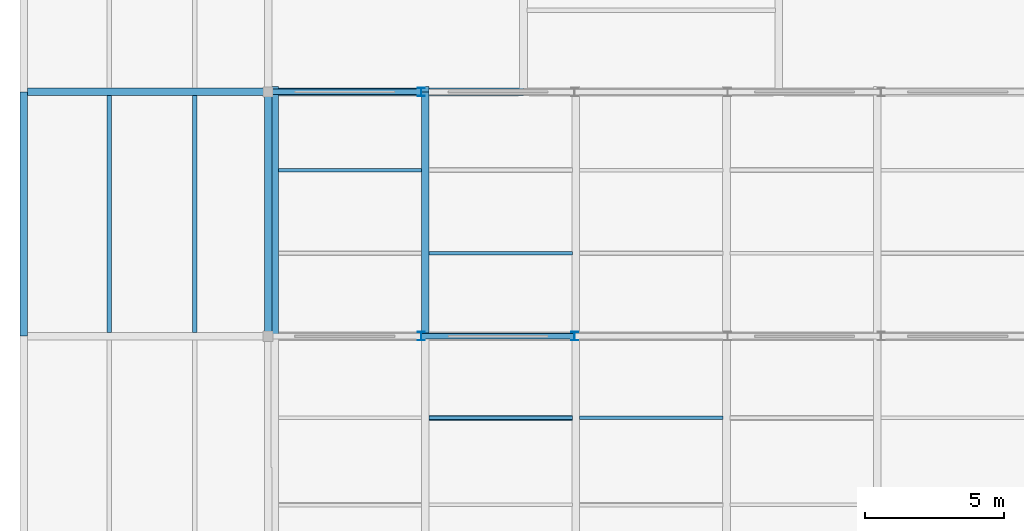
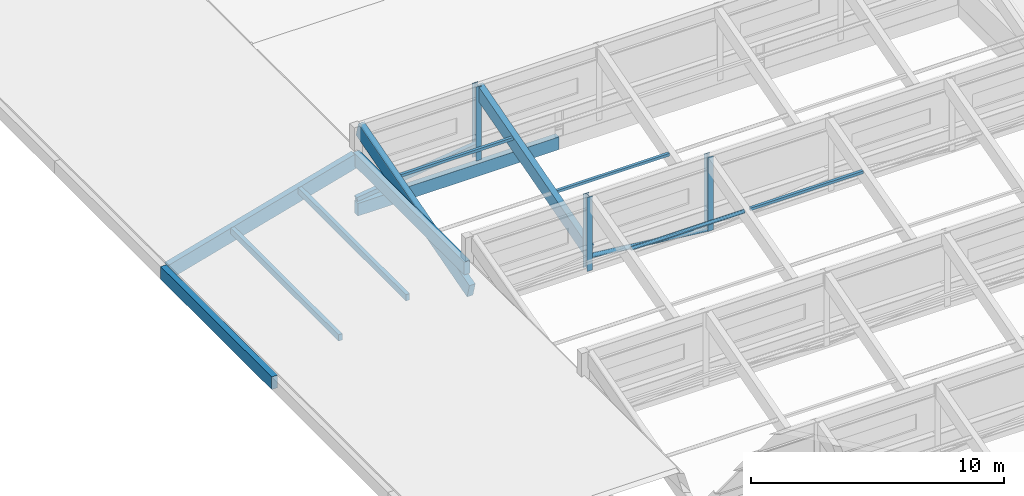
# One storey, part 15 of 77: 11 members, 6 beams.
"""IFC4 building model written with IfcOpenShell, lengths in metres."""

from ifc_helpers import new_model, si_unit, direction, frame, origin, origin_2d, place, context, subcontext, project, spatial, rectangle, hollow_rectangle, hollow_circle, i_section, extrude, material, material_profile, profile_set, type_object, element, save


model = new_model("IFC4")

# Units and contexts
model_context = context("Model", 3, precision=1e-05, world=origin(), true_north=direction((0.0, 1.0)))
body_context = subcontext(model_context, "Body", "Model", "MODEL_VIEW")
ifc_project = project(units=[si_unit("LENGTHUNIT", "METRE"), si_unit("AREAUNIT", "SQUARE_METRE"), si_unit("VOLUMEUNIT", "CUBIC_METRE"), si_unit("PLANEANGLEUNIT", "RADIAN"), si_unit("MASSUNIT", "GRAM", prefix="KILO")], contexts=[model_context])

# Site, building, storey
site_placement = place(None, origin())
site = spatial("IfcSite", under=ifc_project, at=site_placement, CompositionType="ELEMENT")
building_placement = place(site_placement, origin())
building = spatial("IfcBuilding", under=site, at=building_placement, Name="Meriwether Solvik Hall", CompositionType="ELEMENT")
storey_placement = place(building_placement, frame((0.0, 0.0, 9.89990234375)))
storey = spatial("IfcBuildingStorey", under=building, at=storey_placement, Name="L02", CompositionType="ELEMENT", Elevation=9.89990234375)

# Beams
ifc_material_1 = material(Name="Glulam Douglas-Fir 24F-V8 GL28h", Category="wood")
ifc_material_profile_1 = material_profile(ifc_material_1, rectangle(XDim=0.27294921875, YDim=0.610107421875, at=origin_2d()), Name="GLB-273X610")
ifc_profile_set_1 = profile_set([ifc_material_profile_1], Name="Glulam Douglas-Fir 24F-V8 GL28h")
beam_type_1 = type_object("IfcBeamType", Name="BM-GL-273X610", PredefinedType="SPANDREL", material=ifc_profile_set_1)
for number, where, z_axis, x_axis, name in (
    (1, (5.199951171875, 41.199951171875, -0.323974609375), (0.0, 1.0, 0.0), (-1.0, 0.0, 0.0), "Roof Tie Beam 1:E-F (L02)"),
    (2, (14.0, 41.199951171875, 2.135986328125), (0.0, 1.0, 0.0), (-1.0, 0.0, 0.0), "Roof Tie Beam 2:E-F (L02)"),
):
    element("IfcBeam", number, at=place(storey_placement, frame(where, z_axis=z_axis, x_axis=x_axis)), inside=storey, type_object=beam_type_1, Name=name, PredefinedType="SPANDREL", context=body_context, shape_type="SweptSolid", body=[
        extrude(rectangle(XDim=0.27294921875, YDim=0.610107421875, at=origin_2d()), origin(), (0.0, 0.0, 1.0), 8.800048828125),
    ])
beam_1_placement = place(storey_placement, frame((14.0, 50.0, -0.323974609375), z_axis=(1.0, 0.0, 0.0), x_axis=(0.0, 1.0, 0.0)))
element("IfcBeam", 3, at=beam_1_placement, inside=storey, type_object=beam_type_1, Name="Roof Tie Beam F:2-3 (L02)", PredefinedType="SPANDREL", context=body_context, shape_type="SweptSolid", body=[
    extrude(rectangle(XDim=0.27294921875, YDim=0.610107421875, at=origin_2d()), origin(), (0.0, 0.0, 1.0), 9.199951171875),
])
ifc_material_2 = material(Name="Glulam Douglas-Fir 24F-V8 GL28h", Category="wood")
ifc_material_profile_2 = material_profile(ifc_material_2, rectangle(XDim=0.27294921875, YDim=0.68505859375, at=origin_2d()), Name="GLB-273X685")
ifc_profile_set_2 = profile_set([ifc_material_profile_2], Name="Glulam Douglas-Fir 24F-V8 GL28h")
beam_type_2 = type_object("IfcBeamType", Name="BM-GL-273X685", PredefinedType="BEAM", material=ifc_profile_set_2)
beam_2_placement = place(storey_placement, frame((5.420166015625, 50.0, -0.31298828125), z_axis=(0.963077401933, 0.0, 0.269224660621), x_axis=(0.0, 1.0, 0.0)))
element("IfcBeam", 4, at=beam_2_placement, inside=storey, type_object=beam_type_2, Name="Raking Glulam Roof Rafter w1_west_aisle-F (L02)", PredefinedType="BEAM", context=body_context, shape_type="SweptSolid", body=[
    extrude(rectangle(XDim=0.27294921875, YDim=0.68505859375, at=origin_2d()), origin(), (0.0, 0.0, 1.0), 8.87158203125),
])
for number, where, z_axis, x_axis, name in (
    (5, (14.239990234375, 41.293701171875, 0.895751953125), (0.0, 0.961933763025, 0.273282702624), (-1.0, 0.0, 0.0), "Sanctuary Sawtooth Rafter 4.1"),
    (6, (19.6640625, 41.293701171875, 0.895751953125), (0.0, 0.961933763025, 0.273282702624), (-1.0, 0.0, 0.0), "Sanctuary Sawtooth Rafter 4.2"),
):
    element("IfcBeam", number, at=place(storey_placement, frame(where, z_axis=z_axis, x_axis=x_axis)), inside=storey, type_object=beam_type_2, Name=name, PredefinedType="BEAM", context=body_context, shape_type="SweptSolid", body=[
        extrude(rectangle(XDim=0.27294921875, YDim=0.68505859375, at=origin_2d()), origin(), (0.0, 0.0, 1.0), 9.14794921875),
    ])

# Members
ifc_material_3 = material(Name="Steel A500 Grade C", Category="steel")
ifc_material_profile_3 = material_profile(ifc_material_3, hollow_circle(Radius=0.109619140625, WallThickness=0.009521484375, at=origin_2d()), Name="CHS219X9.5")
ifc_profile_set_3 = profile_set([ifc_material_profile_3], Name="Steel A500 Grade C")
member_type_1 = type_object("IfcMemberType", Name="MEM-BR-CHS219", PredefinedType="BRACE", material=ifc_profile_set_3)
member_1_placement = place(storey_placement, frame((19.52001953125, 41.199951171875, 0.765625), z_axis=(0.993841313907, 0.0, -0.110812647163), x_axis=(0.0, 1.0, 0.0)))
element("IfcMember", 7, at=member_1_placement, inside=storey, type_object=member_type_1, Name="Sanctuary Truss T4 Diagonal 2", PredefinedType="BRACE", context=body_context, shape_type="SweptSolid", body=[
    extrude(hollow_circle(Radius=0.109619140625, WallThickness=0.009521484375, at=origin_2d()), origin(), (0.0, 0.0, 1.0), 5.55419921875),
])
ifc_material_4 = material(Name="Steel A500 Grade C", Category="steel")
ifc_material_profile_4 = material_profile(ifc_material_4, hollow_rectangle(XDim=0.202880859375, YDim=0.202880859375, WallThickness=0.0126953125, at=origin_2d()), Name="HSS203X203X12.7")
ifc_profile_set_4 = profile_set([ifc_material_profile_4], Name="Steel A500 Grade C")
member_type_2 = type_object("IfcMemberType", Name="MEM-BR-HSS203", PredefinedType="BRACE", material=ifc_profile_set_4)
member_2_placement = place(storey_placement, frame((14.0, 50.0, 0.150146484375), z_axis=(0.992279227016, 0.0, 0.124023931692), x_axis=(0.0, 1.0, 0.0)))
element("IfcMember", 8, at=member_2_placement, inside=storey, type_object=member_type_2, Name="Sanctuary Truss T5 Diagonal 1", PredefinedType="BRACE", context=body_context, shape_type="SweptSolid", body=[
    extrude(hollow_rectangle(XDim=0.202880859375, YDim=0.202880859375, WallThickness=0.0126953125, at=origin_2d()), origin(), (0.0, 0.0, 1.0), 5.56298828125),
])
ifc_material_5 = material(Name="Steel A992 Grade 50", Category="steel")
ifc_material_profile_5 = material_profile(ifc_material_5, i_section(OverallWidth=0.25390625, OverallDepth=0.305908203125, WebThickness=0.0087890625, FlangeThickness=0.0146484375, at=origin_2d()), Name="W12X53")
ifc_profile_set_5 = profile_set([ifc_material_profile_5], Name="Steel A992 Grade 50")
member_type_3 = type_object("IfcMemberType", Name="MEM-CHORD-W12X53", PredefinedType="CHORD", material=ifc_profile_set_5)
for number, where, z_axis, x_axis, name in (
    (9, (19.52001953125, 41.199951171875, 0.150146484375), (0.0, 0.0, 1.0), (1.0, 0.0, 0.0), "Sanctuary Truss T4 Post 1"),
    (10, (25.0400390625, 41.199951171875, 0.150146484375), (0.0, 0.0, 1.0), (1.0, 0.0, 0.0), "Sanctuary Truss T4 Post 2"),
    (11, (19.52001953125, 50.0, 0.150146484375), (0.0, 0.0, 1.0), (1.0, 0.0, 0.0), "Sanctuary Truss T5 Post 1"),
):
    element("IfcMember", number, at=place(storey_placement, frame(where, z_axis=z_axis, x_axis=x_axis)), inside=storey, type_object=member_type_3, Name=name, PredefinedType="CHORD", context=body_context, shape_type="SweptSolid", body=[
        extrude(i_section(OverallWidth=0.25390625, OverallDepth=0.305908203125, WebThickness=0.0087890625, FlangeThickness=0.0146484375, at=origin_2d()), origin(), (0.0, 0.0, 1.0), 3.574951171875),
    ])
ifc_material_6 = material(Name="Steel A500 Grade C", Category="steel")
ifc_material_profile_6 = material_profile(ifc_material_6, hollow_circle(Radius=0.084228515625, WallThickness=0.0078125, at=origin_2d()), Name="CHS168X7.9")
ifc_profile_set_6 = profile_set([ifc_material_profile_6], Name="Steel A500 Grade C")
member_type_4 = type_object("IfcMemberType", Name="MEM-PRL-CHS168", PredefinedType="PURLIN", material=ifc_profile_set_6)
member_3_placement = place(storey_placement, frame((19.7958984375, 38.256103515625, 2.81884765625), z_axis=(1.0, 0.0, 0.0), x_axis=(0.0, 1.0, 0.0)))
element("IfcMember", 12, at=member_3_placement, inside=storey, type_object=member_type_4, Name="Sanctuary Sawtooth Purlin 3.2.2", PredefinedType="PURLIN", context=body_context, shape_type="SweptSolid", body=[
    extrude(hollow_circle(Radius=0.084228515625, WallThickness=0.0078125, at=origin_2d()), origin(), (0.0, 0.0, 1.0), 5.16015625),
])
ifc_material_7 = material(Name="Glulam Douglas-Fir 24F-V8 GL28h", Category="wood")
ifc_material_profile_7 = material_profile(ifc_material_7, rectangle(XDim=0.175048828125, YDim=0.304931640625, at=origin_2d()), Name="GLM-175X305")
ifc_profile_set_7 = profile_set([ifc_material_profile_7], Name="Glulam Douglas-Fir 24F-V8 GL28h")
member_type_5 = type_object("IfcMemberType", Name="MEM-PRL-GL175", PredefinedType="PURLIN", material=ifc_profile_set_7)
for number, where, z_axis, x_axis, name in (
    (13, (8.280029296875, 41.33251953125, 0.689453125), (0.0, 1.0, 0.0), (-1.0, 0.0, 0.0), "Sloped Roof Glulam Purlin w1_west_aisle-5.1"),
    (14, (11.360107421875, 41.33251953125, 1.550537109375), (0.0, 1.0, 0.0), (-1.0, 0.0, 0.0), "Sloped Roof Glulam Purlin w1_west_aisle-5.2"),
):
    element("IfcMember", number, at=place(storey_placement, frame(where, z_axis=z_axis, x_axis=x_axis)), inside=storey, type_object=member_type_5, Name=name, PredefinedType="PURLIN", context=body_context, shape_type="SweptSolid", body=[
        extrude(rectangle(XDim=0.175048828125, YDim=0.304931640625, at=origin_2d()), origin(), (0.0, 0.0, 1.0), 8.534912109375),
    ])
ifc_material_8 = material(Name="Steel A500 Grade C", Category="steel")
ifc_material_profile_8 = material_profile(ifc_material_8, hollow_rectangle(XDim=0.126953125, YDim=0.126953125, WallThickness=0.0078125, at=origin_2d()), Name="HSS127X127X7.9")
ifc_profile_set_8 = profile_set([ifc_material_profile_8], Name="Steel A500 Grade C")
member_type_6 = type_object("IfcMemberType", Name="MEM-PRL-HSS127", PredefinedType="PURLIN", material=ifc_profile_set_8)
for number, where, z_axis, x_axis, name in (
    (15, (25.219970703125, 38.256103515625, 2.839599609375), (1.0, 0.0, 0.0), (0.0, 1.0, 0.0), "Sanctuary Sawtooth Purlin 3.3.2"),
    (16, (14.3720703125, 47.18408203125, 2.839599609375), (1.0, 0.0, 0.0), (0.0, 1.0, 0.0), "Sanctuary Sawtooth Purlin 4.1.2"),
):
    element("IfcMember", number, at=place(storey_placement, frame(where, z_axis=z_axis, x_axis=x_axis)), inside=storey, type_object=member_type_6, Name=name, PredefinedType="PURLIN", context=body_context, shape_type="SweptSolid", body=[
        extrude(hollow_rectangle(XDim=0.126953125, YDim=0.126953125, WallThickness=0.0078125, at=origin_2d()), origin(), (0.0, 0.0, 1.0), 5.159912109375),
    ])
member_4_placement = place(storey_placement, frame((19.7958984375, 44.19189453125, 1.989501953125), z_axis=(1.0, 0.0, 0.0), x_axis=(0.0, 1.0, 0.0)))
element("IfcMember", 17, at=member_4_placement, inside=storey, type_object=member_type_6, Name="Sanctuary Sawtooth Purlin 4.2.1", PredefinedType="PURLIN", context=body_context, shape_type="SweptSolid", body=[
    extrude(hollow_rectangle(XDim=0.126953125, YDim=0.126953125, WallThickness=0.0078125, at=origin_2d()), origin(), (0.0, 0.0, 1.0), 5.16015625),
])

save(model, "model.ifc")
